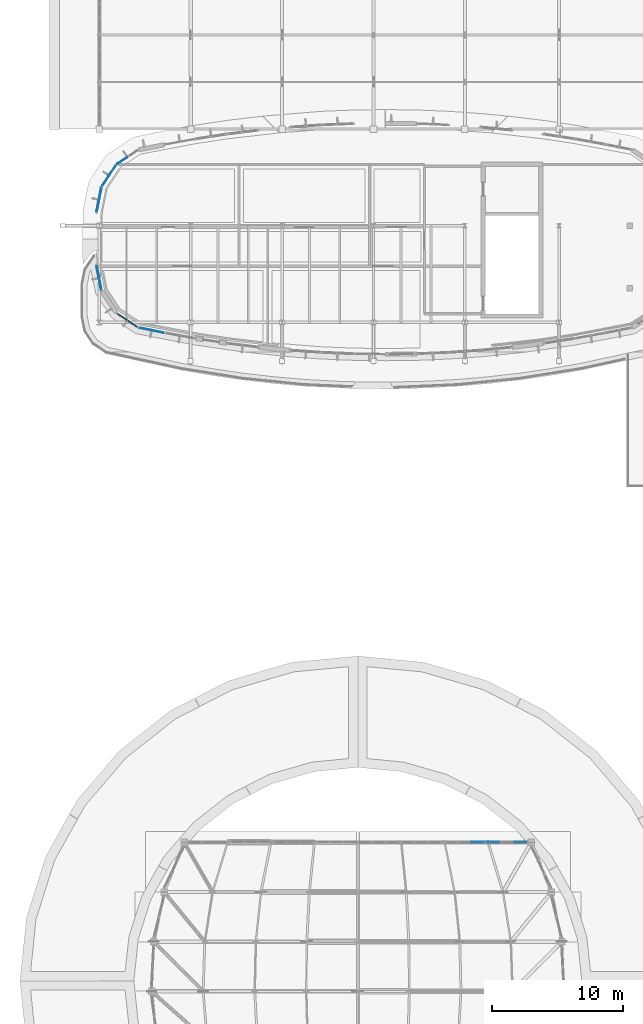
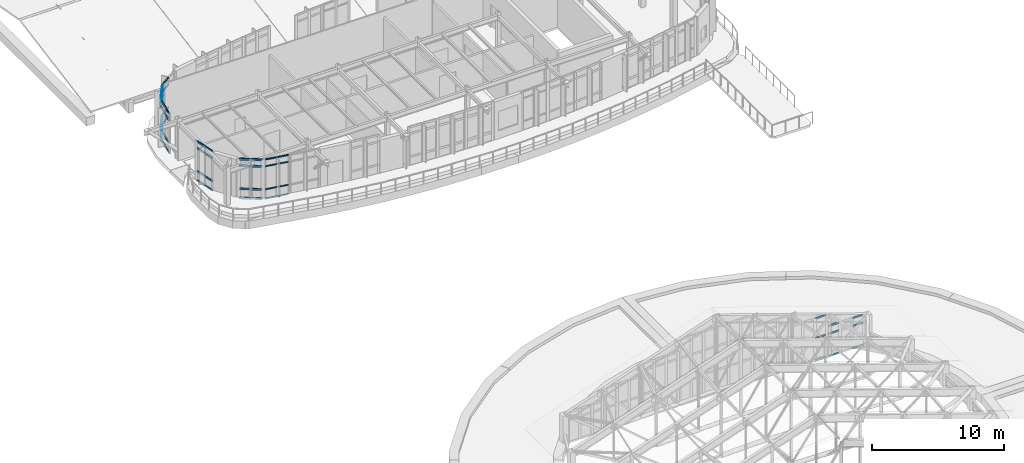
# One storey, part 54 of 105: 53 members, 8 elements without a shape of their own.
"""IFC4 building model written with IfcOpenShell, lengths in metres."""

from ifc_helpers import new_model, si_unit, direction, frame, origin, origin_2d, place, context, subcontext, project, spatial, rectangle, extrude, material, material_profile, profile_set, type_object, element, aggregate, save


model = new_model("IFC4")

# Units and contexts
model_context = context("Model", 3, precision=1e-05, world=origin(), true_north=direction((0.0, 1.0)))
body_context = subcontext(model_context, "Body", "Model", "MODEL_VIEW")
ifc_project = project(units=[si_unit("LENGTHUNIT", "METRE"), si_unit("AREAUNIT", "SQUARE_METRE"), si_unit("VOLUMEUNIT", "CUBIC_METRE"), si_unit("PLANEANGLEUNIT", "RADIAN"), si_unit("MASSUNIT", "GRAM", prefix="KILO")], contexts=[model_context])

# Site, building, storey
site_placement = place(None, origin())
site = spatial("IfcSite", under=ifc_project, at=site_placement, CompositionType="ELEMENT")
building_placement = place(site_placement, origin())
building = spatial("IfcBuilding", under=site, at=building_placement, Name="Corveleigh Park Community Centre", CompositionType="ELEMENT")
storey_placement = place(building_placement, frame((0.0, 0.0, 8.699951171875)))
storey = spatial("IfcBuildingStorey", under=building, at=storey_placement, Name="L02", CompositionType="ELEMENT", Elevation=8.699951171875)

# Curtain wall, members
ifc_material = material(Name="Anodised aluminium 6063-T6", Category="aluminium")
curtain_wall_type_1 = type_object("IfcCurtainWallType", Name="CW-SYS-V2-HALL", PredefinedType="NOTDEFINED", material=ifc_material)
curtain_wall_1_placement = place(storey_placement, origin())
curtain_wall_1 = element("IfcCurtainWall", 1, at=curtain_wall_1_placement, inside=storey, type_object=curtain_wall_type_1, Name="V2 L02 Curtain Wall 326", PredefinedType="NOTDEFINED")
ifc_material_profile_1 = material_profile(ifc_material, rectangle(XDim=0.06005859375, YDim=0.1201171875, at=origin_2d()), Name="ALU-T60x120", Category="aluminium")
ifc_profile_set_1 = profile_set([ifc_material_profile_1], Name="Anodised aluminium 6063-T6")
member_type_1 = type_object("IfcMemberType", Name="CWT-60x120", PredefinedType="USERDEFINED", material=ifc_profile_set_1)
member_1_placement = place(storey_placement, frame((12.609130859375, 90.14306640625, 0.030029296875), z_axis=(0.831790896777, 0.555089095586, 0.0), x_axis=(-0.555089095586, 0.831790896777, 0.0)))
member_1 = element("IfcMember", 2, at=member_1_placement, type_object=member_type_1, Name="CW04 transom 1.1", ObjectType="TRANSOM", PredefinedType="USERDEFINED", context=body_context, shape_type="SweptSolid", body=[
    extrude(rectangle(XDim=0.06005859375, YDim=0.1201171875, at=origin_2d()), origin(), (0.0, 0.0, 1.0), 0.869140625),
])
member_2_placement = place(storey_placement, frame((12.609130859375, 90.14306640625, 0.900146484375), z_axis=(0.831790896777, 0.555089095586, 0.0), x_axis=(-0.555089095586, 0.831790896777, 0.0)))
member_2 = element("IfcMember", 3, at=member_2_placement, type_object=member_type_1, Name="CW04 transom 1.2", ObjectType="TRANSOM", PredefinedType="USERDEFINED", context=body_context, shape_type="SweptSolid", body=[
    extrude(rectangle(XDim=0.06005859375, YDim=0.1201171875, at=origin_2d()), origin(), (0.0, 0.0, 1.0), 0.869140625),
])
member_3_placement = place(storey_placement, frame((12.609130859375, 90.14306640625, 3.030029296875), z_axis=(0.831790896777, 0.555089095586, 0.0), x_axis=(-0.555089095586, 0.831790896777, 0.0)))
member_3 = element("IfcMember", 4, at=member_3_placement, type_object=member_type_1, Name="CW04 transom 1.3", ObjectType="TRANSOM", PredefinedType="USERDEFINED", context=body_context, shape_type="SweptSolid", body=[
    extrude(rectangle(XDim=0.06005859375, YDim=0.1201171875, at=origin_2d()), origin(), (0.0, 0.0, 1.0), 0.869140625),
])
member_4_placement = place(storey_placement, frame((12.609130859375, 90.14306640625, 3.650146484375), z_axis=(0.831790896777, 0.555089095586, 0.0), x_axis=(-0.555089095586, 0.831790896777, 0.0)))
member_4 = element("IfcMember", 5, at=member_4_placement, type_object=member_type_1, Name="CW04 transom 1.4", ObjectType="TRANSOM", PredefinedType="USERDEFINED", context=body_context, shape_type="SweptSolid", body=[
    extrude(rectangle(XDim=0.06005859375, YDim=0.1201171875, at=origin_2d()), origin(), (0.0, 0.0, 1.0), 0.869140625),
])
aggregate(curtain_wall_1, [member_1, member_2, member_3, member_4])

curtain_wall_2_placement = place(storey_placement, origin())
curtain_wall_2 = element("IfcCurtainWall", 6, at=curtain_wall_2_placement, inside=storey, type_object=curtain_wall_type_1, Name="V2 L02 Curtain Wall 331", PredefinedType="NOTDEFINED")
member_5_placement = place(storey_placement, frame((16.1171875, 77.213623046875, 0.030029296875), z_axis=(-0.980789976245, 0.195066712939, 0.0), x_axis=(-0.195066712939, -0.980789976245, 0.0)))
member_5 = element("IfcMember", 7, at=member_5_placement, type_object=member_type_1, Name="CW04 transom 1.1", ObjectType="TRANSOM", PredefinedType="USERDEFINED", context=body_context, shape_type="SweptSolid", body=[
    extrude(rectangle(XDim=0.06005859375, YDim=0.1201171875, at=origin_2d()), origin(), (0.0, 0.0, 1.0), 0.894775390625),
])
member_6_placement = place(storey_placement, frame((16.1171875, 77.213623046875, 0.900146484375), z_axis=(-0.980789976245, 0.195066712939, 0.0), x_axis=(-0.195066712939, -0.980789976245, 0.0)))
member_6 = element("IfcMember", 8, at=member_6_placement, type_object=member_type_1, Name="CW04 transom 1.2", ObjectType="TRANSOM", PredefinedType="USERDEFINED", context=body_context, shape_type="SweptSolid", body=[
    extrude(rectangle(XDim=0.06005859375, YDim=0.1201171875, at=origin_2d()), origin(), (0.0, 0.0, 1.0), 0.894775390625),
])
member_7_placement = place(storey_placement, frame((16.1171875, 77.213623046875, 3.030029296875), z_axis=(-0.980789976245, 0.195066712939, 0.0), x_axis=(-0.195066712939, -0.980789976245, 0.0)))
member_7 = element("IfcMember", 9, at=member_7_placement, type_object=member_type_1, Name="CW04 transom 1.3", ObjectType="TRANSOM", PredefinedType="USERDEFINED", context=body_context, shape_type="SweptSolid", body=[
    extrude(rectangle(XDim=0.06005859375, YDim=0.1201171875, at=origin_2d()), origin(), (0.0, 0.0, 1.0), 0.894775390625),
])
member_8_placement = place(storey_placement, frame((16.1171875, 77.213623046875, 3.650146484375), z_axis=(-0.980789976245, 0.195066712939, 0.0), x_axis=(-0.195066712939, -0.980789976245, 0.0)))
member_8 = element("IfcMember", 10, at=member_8_placement, type_object=member_type_1, Name="CW04 transom 1.4", ObjectType="TRANSOM", PredefinedType="USERDEFINED", context=body_context, shape_type="SweptSolid", body=[
    extrude(rectangle(XDim=0.06005859375, YDim=0.1201171875, at=origin_2d()), origin(), (0.0, 0.0, 1.0), 0.894775390625),
])
member_9_placement = place(storey_placement, frame((15.1806640625, 77.39990234375, 0.030029296875), z_axis=(-0.980852489377, 0.194752134988, 0.0), x_axis=(-0.194752134988, -0.980852489377, 0.0)))
member_9 = element("IfcMember", 11, at=member_9_placement, type_object=member_type_1, Name="CW04 transom 2.1", ObjectType="TRANSOM", PredefinedType="USERDEFINED", context=body_context, shape_type="SweptSolid", body=[
    extrude(rectangle(XDim=0.06005859375, YDim=0.1201171875, at=origin_2d()), origin(), (0.0, 0.0, 1.0), 0.89501953125),
])
member_10_placement = place(storey_placement, frame((15.1806640625, 77.39990234375, 0.900146484375), z_axis=(-0.980852489377, 0.194752134988, 0.0), x_axis=(-0.194752134988, -0.980852489377, 0.0)))
member_10 = element("IfcMember", 12, at=member_10_placement, type_object=member_type_1, Name="CW04 transom 2.2", ObjectType="TRANSOM", PredefinedType="USERDEFINED", context=body_context, shape_type="SweptSolid", body=[
    extrude(rectangle(XDim=0.06005859375, YDim=0.1201171875, at=origin_2d()), origin(), (0.0, 0.0, 1.0), 0.89501953125),
])
member_11_placement = place(storey_placement, frame((15.1806640625, 77.39990234375, 3.030029296875), z_axis=(-0.980852489377, 0.194752134988, 0.0), x_axis=(-0.194752134988, -0.980852489377, 0.0)))
member_11 = element("IfcMember", 13, at=member_11_placement, type_object=member_type_1, Name="CW04 transom 2.3", ObjectType="TRANSOM", PredefinedType="USERDEFINED", context=body_context, shape_type="SweptSolid", body=[
    extrude(rectangle(XDim=0.06005859375, YDim=0.1201171875, at=origin_2d()), origin(), (0.0, 0.0, 1.0), 0.89501953125),
])
member_12_placement = place(storey_placement, frame((15.1806640625, 77.39990234375, 3.650146484375), z_axis=(-0.980852489377, 0.194752134988, 0.0), x_axis=(-0.194752134988, -0.980852489377, 0.0)))
member_12 = element("IfcMember", 14, at=member_12_placement, type_object=member_type_1, Name="CW04 transom 2.4", ObjectType="TRANSOM", PredefinedType="USERDEFINED", context=body_context, shape_type="SweptSolid", body=[
    extrude(rectangle(XDim=0.06005859375, YDim=0.1201171875, at=origin_2d()), origin(), (0.0, 0.0, 1.0), 0.89501953125),
])
aggregate(curtain_wall_2, [member_5, member_6, member_7, member_8, member_9, member_10, member_11, member_12])

curtain_wall_3_placement = place(storey_placement, origin())
curtain_wall_3 = element("IfcCurtainWall", 15, at=curtain_wall_3_placement, inside=storey, type_object=curtain_wall_type_1, Name="V2 L02 Curtain Wall 327", PredefinedType="NOTDEFINED")
ifc_material_profile_2 = material_profile(ifc_material, rectangle(XDim=0.06494140625, YDim=0.139892578125, at=origin_2d()), Name="ALU-T65x140", Category="aluminium")
ifc_profile_set_2 = profile_set([ifc_material_profile_2], Name="Anodised aluminium 6063-T6")
member_type_2 = type_object("IfcMemberType", Name="CWT-65x140", PredefinedType="USERDEFINED", material=ifc_profile_set_2)
member_13_placement = place(storey_placement, frame((11.458740234375, 88.4951171875, 0.032470703125), z_axis=(0.555027062978, 0.831832290406, 0.0), x_axis=(-0.831832290406, 0.555027062978, 0.0)))
member_13 = element("IfcMember", 16, at=member_13_placement, type_object=member_type_2, Name="CW04 transom 1.1", ObjectType="TRANSOM", PredefinedType="USERDEFINED", context=body_context, shape_type="SweptSolid", body=[
    extrude(rectangle(XDim=0.06494140625, YDim=0.139892578125, at=origin_2d()), origin(), (0.0, 0.0, 1.0), 0.86181640625),
])
member_14_placement = place(storey_placement, frame((11.458740234375, 88.4951171875, 0.900146484375), z_axis=(0.555027062978, 0.831832290406, 0.0), x_axis=(-0.831832290406, 0.555027062978, 0.0)))
member_14 = element("IfcMember", 17, at=member_14_placement, type_object=member_type_2, Name="CW04 transom 1.2", ObjectType="TRANSOM", PredefinedType="USERDEFINED", context=body_context, shape_type="SweptSolid", body=[
    extrude(rectangle(XDim=0.06494140625, YDim=0.139892578125, at=origin_2d()), origin(), (0.0, 0.0, 1.0), 0.86181640625),
])
member_15_placement = place(storey_placement, frame((11.458740234375, 88.4951171875, 3.030029296875), z_axis=(0.555027062978, 0.831832290406, 0.0), x_axis=(-0.831832290406, 0.555027062978, 0.0)))
member_15 = element("IfcMember", 18, at=member_15_placement, type_object=member_type_2, Name="CW04 transom 1.3", ObjectType="TRANSOM", PredefinedType="USERDEFINED", context=body_context, shape_type="SweptSolid", body=[
    extrude(rectangle(XDim=0.06494140625, YDim=0.139892578125, at=origin_2d()), origin(), (0.0, 0.0, 1.0), 0.86181640625),
])
member_16_placement = place(storey_placement, frame((11.458740234375, 88.4951171875, 3.6474609375), z_axis=(0.555027062978, 0.831832290406, 0.0), x_axis=(-0.831832290406, 0.555027062978, 0.0)))
member_16 = element("IfcMember", 19, at=member_16_placement, type_object=member_type_2, Name="CW04 transom 1.4", ObjectType="TRANSOM", PredefinedType="USERDEFINED", context=body_context, shape_type="SweptSolid", body=[
    extrude(rectangle(XDim=0.06494140625, YDim=0.139892578125, at=origin_2d()), origin(), (0.0, 0.0, 1.0), 0.86181640625),
])
member_17_placement = place(storey_placement, frame((11.975830078125, 89.27001953125, 0.032470703125), z_axis=(0.555027062978, 0.831832290406, 0.0), x_axis=(-0.831832290406, 0.555027062978, 0.0)))
member_17 = element("IfcMember", 20, at=member_17_placement, type_object=member_type_2, Name="CW04 transom 2.1", ObjectType="TRANSOM", PredefinedType="USERDEFINED", context=body_context, shape_type="SweptSolid", body=[
    extrude(rectangle(XDim=0.06494140625, YDim=0.139892578125, at=origin_2d()), origin(), (0.0, 0.0, 1.0), 0.86181640625),
])
member_18_placement = place(storey_placement, frame((11.975830078125, 89.27001953125, 0.900146484375), z_axis=(0.555027062978, 0.831832290406, 0.0), x_axis=(-0.831832290406, 0.555027062978, 0.0)))
member_18 = element("IfcMember", 21, at=member_18_placement, type_object=member_type_2, Name="CW04 transom 2.2", ObjectType="TRANSOM", PredefinedType="USERDEFINED", context=body_context, shape_type="SweptSolid", body=[
    extrude(rectangle(XDim=0.06494140625, YDim=0.139892578125, at=origin_2d()), origin(), (0.0, 0.0, 1.0), 0.86181640625),
])
member_19_placement = place(storey_placement, frame((11.975830078125, 89.27001953125, 3.030029296875), z_axis=(0.555027062978, 0.831832290406, 0.0), x_axis=(-0.831832290406, 0.555027062978, 0.0)))
member_19 = element("IfcMember", 22, at=member_19_placement, type_object=member_type_2, Name="CW04 transom 2.3", ObjectType="TRANSOM", PredefinedType="USERDEFINED", context=body_context, shape_type="SweptSolid", body=[
    extrude(rectangle(XDim=0.06494140625, YDim=0.139892578125, at=origin_2d()), origin(), (0.0, 0.0, 1.0), 0.86181640625),
])
member_20_placement = place(storey_placement, frame((11.975830078125, 89.27001953125, 3.6474609375), z_axis=(0.555027062978, 0.831832290406, 0.0), x_axis=(-0.831832290406, 0.555027062978, 0.0)))
member_20 = element("IfcMember", 23, at=member_20_placement, type_object=member_type_2, Name="CW04 transom 2.4", ObjectType="TRANSOM", PredefinedType="USERDEFINED", context=body_context, shape_type="SweptSolid", body=[
    extrude(rectangle(XDim=0.06494140625, YDim=0.139892578125, at=origin_2d()), origin(), (0.0, 0.0, 1.0), 0.86181640625),
])
aggregate(curtain_wall_3, [member_13, member_14, member_15, member_16, member_17, member_18, member_19, member_20])

curtain_wall_4_placement = place(storey_placement, origin())
curtain_wall_4 = element("IfcCurtainWall", 24, at=curtain_wall_4_placement, inside=storey, type_object=curtain_wall_type_1, Name="V2 L02 Curtain Wall 328", PredefinedType="NOTDEFINED")
ifc_material_profile_3 = material_profile(ifc_material, rectangle(XDim=0.070068359375, YDim=0.155029296875, at=origin_2d()), Name="ALU-T70x155", Category="aluminium")
ifc_profile_set_3 = profile_set([ifc_material_profile_3], Name="Anodised aluminium 6063-T6")
member_type_3 = type_object("IfcMemberType", Name="CWT-70x155", PredefinedType="USERDEFINED", material=ifc_profile_set_3)
member_21_placement = place(storey_placement, frame((11.01953125, 86.513671875, 0.03515625), z_axis=(0.195192561152, 0.980764938235, 0.0), x_axis=(-0.980764938235, 0.195192561152, 0.0)))
member_21 = element("IfcMember", 25, at=member_21_placement, type_object=member_type_3, Name="CW04 transom 1.1", ObjectType="TRANSOM", PredefinedType="USERDEFINED", context=body_context, shape_type="SweptSolid", body=[
    extrude(rectangle(XDim=0.070068359375, YDim=0.155029296875, at=origin_2d()), origin(), (0.0, 0.0, 1.0), 0.8642578125),
])
member_22_placement = place(storey_placement, frame((11.01953125, 86.513671875, 0.900146484375), z_axis=(0.195192561152, 0.980764938235, 0.0), x_axis=(-0.980764938235, 0.195192561152, 0.0)))
member_22 = element("IfcMember", 26, at=member_22_placement, type_object=member_type_3, Name="CW04 transom 1.2", ObjectType="TRANSOM", PredefinedType="USERDEFINED", context=body_context, shape_type="SweptSolid", body=[
    extrude(rectangle(XDim=0.070068359375, YDim=0.155029296875, at=origin_2d()), origin(), (0.0, 0.0, 1.0), 0.8642578125),
])
member_23_placement = place(storey_placement, frame((11.01953125, 86.513671875, 3.030029296875), z_axis=(0.195192561152, 0.980764938235, 0.0), x_axis=(-0.980764938235, 0.195192561152, 0.0)))
member_23 = element("IfcMember", 27, at=member_23_placement, type_object=member_type_3, Name="CW04 transom 1.3", ObjectType="TRANSOM", PredefinedType="USERDEFINED", context=body_context, shape_type="SweptSolid", body=[
    extrude(rectangle(XDim=0.070068359375, YDim=0.155029296875, at=origin_2d()), origin(), (0.0, 0.0, 1.0), 0.8642578125),
])
member_24_placement = place(storey_placement, frame((11.01953125, 86.513671875, 3.64501953125), z_axis=(0.195192561152, 0.980764938235, 0.0), x_axis=(-0.980764938235, 0.195192561152, 0.0)))
member_24 = element("IfcMember", 28, at=member_24_placement, type_object=member_type_3, Name="CW04 transom 1.4", ObjectType="TRANSOM", PredefinedType="USERDEFINED", context=body_context, shape_type="SweptSolid", body=[
    extrude(rectangle(XDim=0.070068359375, YDim=0.155029296875, at=origin_2d()), origin(), (0.0, 0.0, 1.0), 0.8642578125),
])
member_25_placement = place(storey_placement, frame((11.202880859375, 87.434814453125, 0.03515625), z_axis=(0.194920822772, 0.980818980674, 0.0), x_axis=(-0.980818980674, 0.194920822772, 0.0)))
member_25 = element("IfcMember", 29, at=member_25_placement, type_object=member_type_3, Name="CW04 transom 2.1", ObjectType="TRANSOM", PredefinedType="USERDEFINED", context=body_context, shape_type="SweptSolid", body=[
    extrude(rectangle(XDim=0.070068359375, YDim=0.155029296875, at=origin_2d()), origin(), (0.0, 0.0, 1.0), 0.8642578125),
])
member_26_placement = place(storey_placement, frame((11.202880859375, 87.434814453125, 0.900146484375), z_axis=(0.194920822772, 0.980818980674, 0.0), x_axis=(-0.980818980674, 0.194920822772, 0.0)))
member_26 = element("IfcMember", 30, at=member_26_placement, type_object=member_type_3, Name="CW04 transom 2.2", ObjectType="TRANSOM", PredefinedType="USERDEFINED", context=body_context, shape_type="SweptSolid", body=[
    extrude(rectangle(XDim=0.070068359375, YDim=0.155029296875, at=origin_2d()), origin(), (0.0, 0.0, 1.0), 0.8642578125),
])
member_27_placement = place(storey_placement, frame((11.202880859375, 87.434814453125, 3.030029296875), z_axis=(0.194920822772, 0.980818980674, 0.0), x_axis=(-0.980818980674, 0.194920822772, 0.0)))
member_27 = element("IfcMember", 31, at=member_27_placement, type_object=member_type_3, Name="CW04 transom 2.3", ObjectType="TRANSOM", PredefinedType="USERDEFINED", context=body_context, shape_type="SweptSolid", body=[
    extrude(rectangle(XDim=0.070068359375, YDim=0.155029296875, at=origin_2d()), origin(), (0.0, 0.0, 1.0), 0.8642578125),
])
member_28_placement = place(storey_placement, frame((11.202880859375, 87.434814453125, 3.64501953125), z_axis=(0.194920822772, 0.980818980674, 0.0), x_axis=(-0.980818980674, 0.194920822772, 0.0)))
member_28 = element("IfcMember", 32, at=member_28_placement, type_object=member_type_3, Name="CW04 transom 2.4", ObjectType="TRANSOM", PredefinedType="USERDEFINED", context=body_context, shape_type="SweptSolid", body=[
    extrude(rectangle(XDim=0.070068359375, YDim=0.155029296875, at=origin_2d()), origin(), (0.0, 0.0, 1.0), 0.8642578125),
])
aggregate(curtain_wall_4, [member_21, member_22, member_23, member_24, member_25, member_26, member_27, member_28])

curtain_wall_type_2 = type_object("IfcCurtainWallType", Name="CW-SYS-V1-DRUM", PredefinedType="NOTDEFINED", material=ifc_material)
curtain_wall_5_placement = place(storey_placement, origin())
curtain_wall_5 = element("IfcCurtainWall", 33, at=curtain_wall_5_placement, inside=storey, type_object=curtain_wall_type_2, Name="Main Hall N Gable Clerestory 7", PredefinedType="NOTDEFINED")
member_29_placement = place(storey_placement, frame((40.652099609375, 38.199951171875, 0.03515625), z_axis=(-1.0, 0.0, 0.0), x_axis=(0.0, -1.0, 0.0)))
member_29 = element("IfcMember", 34, at=member_29_placement, type_object=member_type_3, Name="CW02 transom 1.1", ObjectType="TRANSOM", PredefinedType="USERDEFINED", context=body_context, shape_type="SweptSolid", body=[
    extrude(rectangle(XDim=0.070068359375, YDim=0.155029296875, at=origin_2d()), origin(), (0.0, 0.0, 1.0), 0.95166015625),
])
member_30_placement = place(storey_placement, frame((40.652099609375, 38.199951171875, 2.10009765625), z_axis=(-1.0, 0.0, 0.0), x_axis=(0.0, -1.0, 0.0)))
member_30 = element("IfcMember", 35, at=member_30_placement, type_object=member_type_3, Name="CW02 transom 1.2", ObjectType="TRANSOM", PredefinedType="USERDEFINED", context=body_context, shape_type="SweptSolid", body=[
    extrude(rectangle(XDim=0.070068359375, YDim=0.155029296875, at=origin_2d()), origin(), (0.0, 0.0, 1.0), 0.95166015625),
])
member_31_placement = place(storey_placement, frame((40.652099609375, 38.199951171875, 3.93212890625), z_axis=(-1.0, 0.0, 0.0), x_axis=(0.0, -1.0, 0.0)))
member_31 = element("IfcMember", 36, at=member_31_placement, type_object=member_type_3, Name="CW02 transom 1.3", ObjectType="TRANSOM", PredefinedType="USERDEFINED", context=body_context, shape_type="SweptSolid", body=[
    extrude(rectangle(XDim=0.070068359375, YDim=0.155029296875, at=origin_2d()), origin(), (0.0, 0.0, 1.0), 0.95166015625),
])
aggregate(curtain_wall_5, [member_29, member_30, member_31])

curtain_wall_6_placement = place(storey_placement, origin())
curtain_wall_6 = element("IfcCurtainWall", 37, at=curtain_wall_6_placement, inside=storey, type_object=curtain_wall_type_2, Name="Main Hall N Gable Clerestory 8", PredefinedType="NOTDEFINED")
member_32_placement = place(storey_placement, frame((43.905029296875, 38.199951171875, 0.03515625), z_axis=(-1.0, 0.0, 0.0), x_axis=(0.0, -1.0, 0.0)))
member_32 = element("IfcMember", 38, at=member_32_placement, type_object=member_type_3, Name="CW02 transom 1.1", ObjectType="TRANSOM", PredefinedType="USERDEFINED", context=body_context, shape_type="SweptSolid", body=[
    extrude(rectangle(XDim=0.070068359375, YDim=0.155029296875, at=origin_2d()), origin(), (0.0, 0.0, 1.0), 0.951416015625),
])
member_33_placement = place(storey_placement, frame((43.905029296875, 38.199951171875, 2.10009765625), z_axis=(-1.0, 0.0, 0.0), x_axis=(0.0, -1.0, 0.0)))
member_33 = element("IfcMember", 39, at=member_33_placement, type_object=member_type_3, Name="CW02 transom 1.2", ObjectType="TRANSOM", PredefinedType="USERDEFINED", context=body_context, shape_type="SweptSolid", body=[
    extrude(rectangle(XDim=0.070068359375, YDim=0.155029296875, at=origin_2d()), origin(), (0.0, 0.0, 1.0), 0.951416015625),
])
member_34_placement = place(storey_placement, frame((43.905029296875, 38.199951171875, 2.820068359375), z_axis=(-1.0, 0.0, 0.0), x_axis=(0.0, -1.0, 0.0)))
member_34 = element("IfcMember", 40, at=member_34_placement, type_object=member_type_3, Name="CW02 transom 1.3", ObjectType="TRANSOM", PredefinedType="USERDEFINED", context=body_context, shape_type="SweptSolid", body=[
    extrude(rectangle(XDim=0.070068359375, YDim=0.155029296875, at=origin_2d()), origin(), (0.0, 0.0, 1.0), 0.951416015625),
])
member_35_placement = place(storey_placement, frame((41.814453125, 38.199951171875, 0.03515625), z_axis=(-1.0, 0.0, 0.0), x_axis=(0.0, -1.0, 0.0)))
member_35 = element("IfcMember", 41, at=member_35_placement, type_object=member_type_3, Name="CW02 transom 3.1", ObjectType="TRANSOM", PredefinedType="USERDEFINED", context=body_context, shape_type="SweptSolid", body=[
    extrude(rectangle(XDim=0.070068359375, YDim=0.155029296875, at=origin_2d()), origin(), (0.0, 0.0, 1.0), 0.951416015625),
])
member_36_placement = place(storey_placement, frame((41.814453125, 38.199951171875, 2.10009765625), z_axis=(-1.0, 0.0, 0.0), x_axis=(0.0, -1.0, 0.0)))
member_36 = element("IfcMember", 42, at=member_36_placement, type_object=member_type_3, Name="CW02 transom 3.2", ObjectType="TRANSOM", PredefinedType="USERDEFINED", context=body_context, shape_type="SweptSolid", body=[
    extrude(rectangle(XDim=0.070068359375, YDim=0.155029296875, at=origin_2d()), origin(), (0.0, 0.0, 1.0), 0.951416015625),
])
member_37_placement = place(storey_placement, frame((41.814453125, 38.199951171875, 2.820068359375), z_axis=(-1.0, 0.0, 0.0), x_axis=(0.0, -1.0, 0.0)))
member_37 = element("IfcMember", 43, at=member_37_placement, type_object=member_type_3, Name="CW02 transom 3.3", ObjectType="TRANSOM", PredefinedType="USERDEFINED", context=body_context, shape_type="SweptSolid", body=[
    extrude(rectangle(XDim=0.070068359375, YDim=0.155029296875, at=origin_2d()), origin(), (0.0, 0.0, 1.0), 0.951416015625),
])
aggregate(curtain_wall_6, [member_32, member_33, member_34, member_35, member_36, member_37])

curtain_wall_7_placement = place(storey_placement, origin())
curtain_wall_7 = element("IfcCurtainWall", 44, at=curtain_wall_7_placement, inside=storey, type_object=curtain_wall_type_1, Name="V2 L02 Curtain Wall 329", PredefinedType="NOTDEFINED")
ifc_material_profile_4 = material_profile(ifc_material, rectangle(XDim=0.074951171875, YDim=0.175048828125, at=origin_2d()), Name="ALU-T75x175", Category="aluminium")
ifc_profile_set_4 = profile_set([ifc_material_profile_4], Name="Anodised aluminium 6063-T6")
member_type_4 = type_object("IfcMemberType", Name="CWT-75x175", PredefinedType="USERDEFINED", material=ifc_profile_set_4)
member_38_placement = place(storey_placement, frame((11.370361328125, 80.5224609375, 0.03759765625), z_axis=(-0.194910400766, 0.98082105181, 0.0), x_axis=(-0.98082105181, -0.194910400766, 0.0)))
member_38 = element("IfcMember", 45, at=member_38_placement, type_object=member_type_4, Name="CW04 transom 1.1", ObjectType="TRANSOM", PredefinedType="USERDEFINED", context=body_context, shape_type="SweptSolid", body=[
    extrude(rectangle(XDim=0.074951171875, YDim=0.175048828125, at=origin_2d()), origin(), (0.0, 0.0, 1.0), 0.856689453125),
])
member_39_placement = place(storey_placement, frame((11.370361328125, 80.5224609375, 0.900146484375), z_axis=(-0.194910400766, 0.98082105181, 0.0), x_axis=(-0.98082105181, -0.194910400766, 0.0)))
member_39 = element("IfcMember", 46, at=member_39_placement, type_object=member_type_4, Name="CW04 transom 1.2", ObjectType="TRANSOM", PredefinedType="USERDEFINED", context=body_context, shape_type="SweptSolid", body=[
    extrude(rectangle(XDim=0.074951171875, YDim=0.175048828125, at=origin_2d()), origin(), (0.0, 0.0, 1.0), 0.856689453125),
])
member_40_placement = place(storey_placement, frame((11.370361328125, 80.5224609375, 3.030029296875), z_axis=(-0.194910400766, 0.98082105181, 0.0), x_axis=(-0.98082105181, -0.194910400766, 0.0)))
member_40 = element("IfcMember", 47, at=member_40_placement, type_object=member_type_4, Name="CW04 transom 1.3", ObjectType="TRANSOM", PredefinedType="USERDEFINED", context=body_context, shape_type="SweptSolid", body=[
    extrude(rectangle(XDim=0.074951171875, YDim=0.175048828125, at=origin_2d()), origin(), (0.0, 0.0, 1.0), 0.856689453125),
])
member_41_placement = place(storey_placement, frame((11.370361328125, 80.5224609375, 3.642578125), z_axis=(-0.194910400766, 0.98082105181, 0.0), x_axis=(-0.98082105181, -0.194910400766, 0.0)))
member_41 = element("IfcMember", 48, at=member_41_placement, type_object=member_type_4, Name="CW04 transom 1.4", ObjectType="TRANSOM", PredefinedType="USERDEFINED", context=body_context, shape_type="SweptSolid", body=[
    extrude(rectangle(XDim=0.074951171875, YDim=0.175048828125, at=origin_2d()), origin(), (0.0, 0.0, 1.0), 0.856689453125),
])
member_42_placement = place(storey_placement, frame((11.187744140625, 81.441162109375, 0.03759765625), z_axis=(-0.195184509121, 0.980766540722, 0.0), x_axis=(-0.980766540722, -0.195184509121, 0.0)))
member_42 = element("IfcMember", 49, at=member_42_placement, type_object=member_type_4, Name="CW04 transom 2.1", ObjectType="TRANSOM", PredefinedType="USERDEFINED", context=body_context, shape_type="SweptSolid", body=[
    extrude(rectangle(XDim=0.074951171875, YDim=0.175048828125, at=origin_2d()), origin(), (0.0, 0.0, 1.0), 0.856689453125),
])
member_43_placement = place(storey_placement, frame((11.187744140625, 81.441162109375, 0.900146484375), z_axis=(-0.195184509121, 0.980766540722, 0.0), x_axis=(-0.980766540722, -0.195184509121, 0.0)))
member_43 = element("IfcMember", 50, at=member_43_placement, type_object=member_type_4, Name="CW04 transom 2.2", ObjectType="TRANSOM", PredefinedType="USERDEFINED", context=body_context, shape_type="SweptSolid", body=[
    extrude(rectangle(XDim=0.074951171875, YDim=0.175048828125, at=origin_2d()), origin(), (0.0, 0.0, 1.0), 0.856689453125),
])
member_44_placement = place(storey_placement, frame((11.187744140625, 81.441162109375, 3.030029296875), z_axis=(-0.195184509121, 0.980766540722, 0.0), x_axis=(-0.980766540722, -0.195184509121, 0.0)))
member_44 = element("IfcMember", 51, at=member_44_placement, type_object=member_type_4, Name="CW04 transom 2.3", ObjectType="TRANSOM", PredefinedType="USERDEFINED", context=body_context, shape_type="SweptSolid", body=[
    extrude(rectangle(XDim=0.074951171875, YDim=0.175048828125, at=origin_2d()), origin(), (0.0, 0.0, 1.0), 0.856689453125),
])
member_45_placement = place(storey_placement, frame((11.187744140625, 81.441162109375, 3.642578125), z_axis=(-0.195184509121, 0.980766540722, 0.0), x_axis=(-0.980766540722, -0.195184509121, 0.0)))
member_45 = element("IfcMember", 52, at=member_45_placement, type_object=member_type_4, Name="CW04 transom 2.4", ObjectType="TRANSOM", PredefinedType="USERDEFINED", context=body_context, shape_type="SweptSolid", body=[
    extrude(rectangle(XDim=0.074951171875, YDim=0.175048828125, at=origin_2d()), origin(), (0.0, 0.0, 1.0), 0.856689453125),
])
aggregate(curtain_wall_7, [member_38, member_39, member_40, member_41, member_42, member_43, member_44, member_45])

curtain_wall_8_placement = place(storey_placement, origin())
curtain_wall_8 = element("IfcCurtainWall", 53, at=curtain_wall_8_placement, inside=storey, type_object=curtain_wall_type_1, Name="V2 L02 Curtain Wall 330", PredefinedType="NOTDEFINED")
ifc_material_profile_5 = material_profile(ifc_material, rectangle(XDim=0.080078125, YDim=0.195068359375, at=origin_2d()), Name="ALU-T80x195", Category="aluminium")
ifc_profile_set_5 = profile_set([ifc_material_profile_5], Name="Anodised aluminium 6063-T6")
member_type_5 = type_object("IfcMemberType", Name="CWT-80x195", PredefinedType="USERDEFINED", material=ifc_profile_set_5)
member_46_placement = place(storey_placement, frame((14.09228515625, 77.667236328125, 0.0400390625), z_axis=(-0.83191597082, 0.554901628665, 0.0), x_axis=(-0.554901628665, -0.83191597082, 0.0)))
member_46 = element("IfcMember", 54, at=member_46_placement, type_object=member_type_5, Name="CW04 transom 1.1", ObjectType="TRANSOM", PredefinedType="USERDEFINED", context=body_context, shape_type="SweptSolid", body=[
    extrude(rectangle(XDim=0.080078125, YDim=0.195068359375, at=origin_2d()), origin(), (0.0, 0.0, 1.0), 0.839111328125),
])
member_47_placement = place(storey_placement, frame((14.09228515625, 77.667236328125, 0.900146484375), z_axis=(-0.83191597082, 0.554901628665, 0.0), x_axis=(-0.554901628665, -0.83191597082, 0.0)))
member_47 = element("IfcMember", 55, at=member_47_placement, type_object=member_type_5, Name="CW04 transom 1.2", ObjectType="TRANSOM", PredefinedType="USERDEFINED", context=body_context, shape_type="SweptSolid", body=[
    extrude(rectangle(XDim=0.080078125, YDim=0.195068359375, at=origin_2d()), origin(), (0.0, 0.0, 1.0), 0.839111328125),
])
member_48_placement = place(storey_placement, frame((14.09228515625, 77.667236328125, 3.030029296875), z_axis=(-0.83191597082, 0.554901628665, 0.0), x_axis=(-0.554901628665, -0.83191597082, 0.0)))
member_48 = element("IfcMember", 56, at=member_48_placement, type_object=member_type_5, Name="CW04 transom 1.3", ObjectType="TRANSOM", PredefinedType="USERDEFINED", context=body_context, shape_type="SweptSolid", body=[
    extrude(rectangle(XDim=0.080078125, YDim=0.195068359375, at=origin_2d()), origin(), (0.0, 0.0, 1.0), 0.839111328125),
])
member_49_placement = place(storey_placement, frame((14.09228515625, 77.667236328125, 3.64013671875), z_axis=(-0.83191597082, 0.554901628665, 0.0), x_axis=(-0.554901628665, -0.83191597082, 0.0)))
member_49 = element("IfcMember", 57, at=member_49_placement, type_object=member_type_5, Name="CW04 transom 1.4", ObjectType="TRANSOM", PredefinedType="USERDEFINED", context=body_context, shape_type="SweptSolid", body=[
    extrude(rectangle(XDim=0.080078125, YDim=0.195068359375, at=origin_2d()), origin(), (0.0, 0.0, 1.0), 0.839111328125),
])
member_50_placement = place(storey_placement, frame((13.32373046875, 78.18017578125, 0.0400390625), z_axis=(-0.83191597082, 0.554901628665, 0.0), x_axis=(-0.554901628665, -0.83191597082, 0.0)))
member_50 = element("IfcMember", 58, at=member_50_placement, type_object=member_type_5, Name="CW04 transom 2.1", ObjectType="TRANSOM", PredefinedType="USERDEFINED", context=body_context, shape_type="SweptSolid", body=[
    extrude(rectangle(XDim=0.080078125, YDim=0.195068359375, at=origin_2d()), origin(), (0.0, 0.0, 1.0), 0.839111328125),
])
member_51_placement = place(storey_placement, frame((13.32373046875, 78.18017578125, 0.900146484375), z_axis=(-0.83191597082, 0.554901628665, 0.0), x_axis=(-0.554901628665, -0.83191597082, 0.0)))
member_51 = element("IfcMember", 59, at=member_51_placement, type_object=member_type_5, Name="CW04 transom 2.2", ObjectType="TRANSOM", PredefinedType="USERDEFINED", context=body_context, shape_type="SweptSolid", body=[
    extrude(rectangle(XDim=0.080078125, YDim=0.195068359375, at=origin_2d()), origin(), (0.0, 0.0, 1.0), 0.839111328125),
])
member_52_placement = place(storey_placement, frame((13.32373046875, 78.18017578125, 3.030029296875), z_axis=(-0.83191597082, 0.554901628665, 0.0), x_axis=(-0.554901628665, -0.83191597082, 0.0)))
member_52 = element("IfcMember", 60, at=member_52_placement, type_object=member_type_5, Name="CW04 transom 2.3", ObjectType="TRANSOM", PredefinedType="USERDEFINED", context=body_context, shape_type="SweptSolid", body=[
    extrude(rectangle(XDim=0.080078125, YDim=0.195068359375, at=origin_2d()), origin(), (0.0, 0.0, 1.0), 0.839111328125),
])
member_53_placement = place(storey_placement, frame((13.32373046875, 78.18017578125, 3.64013671875), z_axis=(-0.83191597082, 0.554901628665, 0.0), x_axis=(-0.554901628665, -0.83191597082, 0.0)))
member_53 = element("IfcMember", 61, at=member_53_placement, type_object=member_type_5, Name="CW04 transom 2.4", ObjectType="TRANSOM", PredefinedType="USERDEFINED", context=body_context, shape_type="SweptSolid", body=[
    extrude(rectangle(XDim=0.080078125, YDim=0.195068359375, at=origin_2d()), origin(), (0.0, 0.0, 1.0), 0.839111328125),
])
aggregate(curtain_wall_8, [member_46, member_47, member_48, member_49, member_50, member_51, member_52, member_53])

save(model, "model.ifc")
